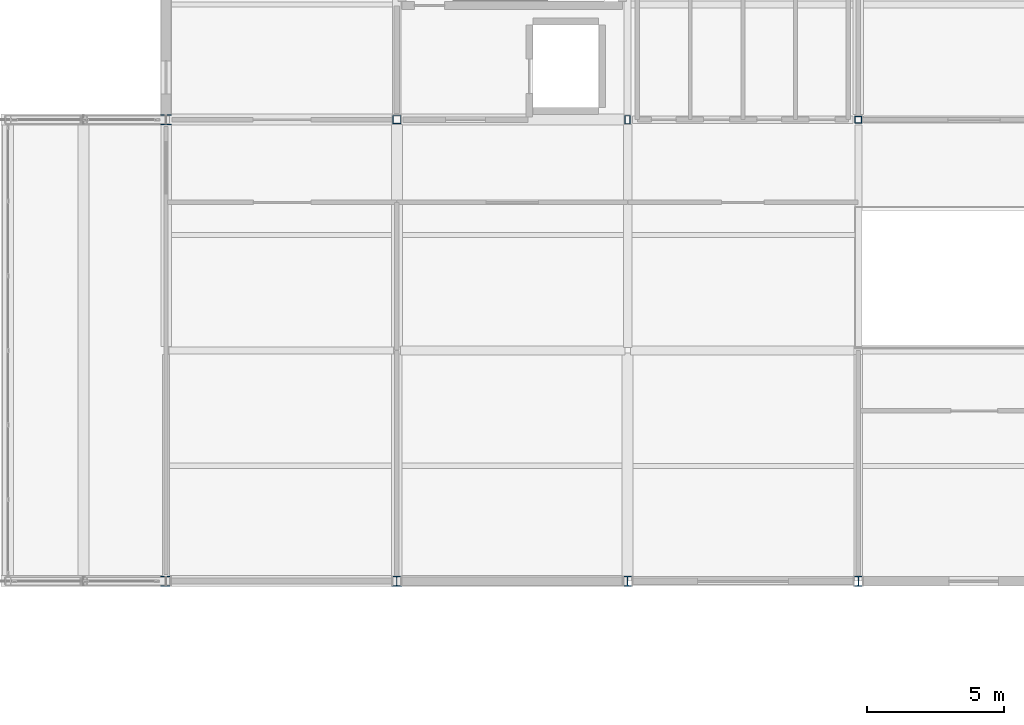
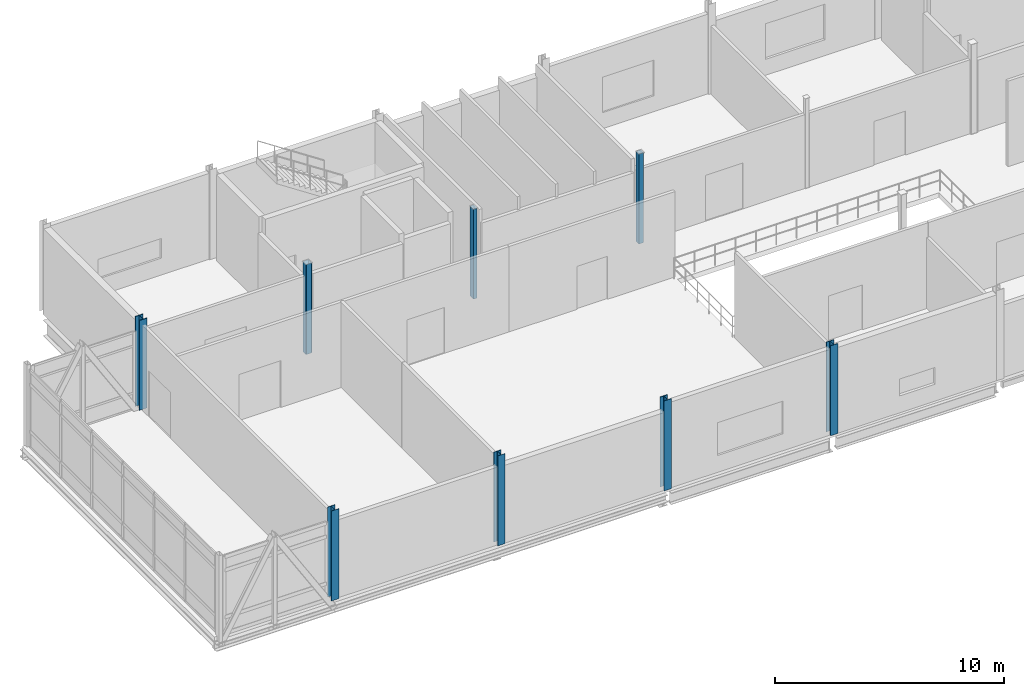
# One storey, part 1 of 45: 8 columns.
"""IFC4 building model written with IfcOpenShell, lengths in metres."""

from ifc_helpers import new_model, si_unit, direction, frame, origin, origin_2d, place, context, subcontext, project, spatial, hollow_rectangle, i_section, extrude, material, material_profile, profile_set, type_object, element, save


model = new_model("IFC4")

# Units and contexts
model_context = context("Model", 3, precision=1e-05, world=origin(), true_north=direction((0.0, 1.0)))
body_context = subcontext(model_context, "Body", "Model", "MODEL_VIEW")
ifc_project = project(units=[si_unit("LENGTHUNIT", "METRE"), si_unit("AREAUNIT", "SQUARE_METRE"), si_unit("VOLUMEUNIT", "CUBIC_METRE"), si_unit("PLANEANGLEUNIT", "RADIAN"), si_unit("MASSUNIT", "GRAM", prefix="KILO")], contexts=[model_context])

# Site, building, storey
site_placement = place(None, origin())
site = spatial("IfcSite", under=ifc_project, at=site_placement, CompositionType="ELEMENT")
building_placement = place(site_placement, origin())
building = spatial("IfcBuilding", under=site, at=building_placement, Name="Calvrana Isthmian Art Gallery", CompositionType="ELEMENT")
storey_placement = place(building_placement, frame((0.0, 0.0, 19.800048828125)))
storey = spatial("IfcBuildingStorey", under=building, at=storey_placement, Name="L04", CompositionType="ELEMENT", Elevation=19.800048828125)

# Columns
ifc_material_1 = material(Name="Steel ASTM A500 Gr C", Category="steel")
ifc_material_profile_1 = material_profile(ifc_material_1, hollow_rectangle(XDim=0.25390625, YDim=0.25390625, WallThickness=0.0126953125, OuterFilletRadius=0.02490234375, at=origin_2d()), Name="HSS254X254X12.7")
ifc_profile_set_1 = profile_set([ifc_material_profile_1], Name="Steel ASTM A500 Gr C")
column_type_1 = type_object("IfcColumnType", Name="COL-STL-HSS254X254X12.7", PredefinedType="COLUMN", material=ifc_profile_set_1)
column_1_placement = place(storey_placement, frame((46.800048828125, 38.39990234375, 0.0), z_axis=(0.0, 0.0, 1.0), x_axis=(1.0, 0.0, 0.0)))
element("IfcColumn", 1, at=column_1_placement, inside=storey, type_object=column_type_1, Name="Column 07/F L04", PredefinedType="COLUMN", context=body_context, shape_type="SweptSolid", body=[
    extrude(hollow_rectangle(XDim=0.25390625, YDim=0.25390625, WallThickness=0.0126953125, OuterFilletRadius=0.02490234375, at=origin_2d()), origin(), (0.0, 0.0, 1.0), 4.800048828125),
])
ifc_material_profile_2 = material_profile(ifc_material_1, hollow_rectangle(XDim=0.203125, YDim=0.3046875, WallThickness=0.0126953125, OuterFilletRadius=0.02490234375, at=origin_2d()), Name="HSS305X203X12.7")
ifc_profile_set_2 = profile_set([ifc_material_profile_2], Name="Steel ASTM A500 Gr C")
column_type_2 = type_object("IfcColumnType", Name="COL-STL-HSS305X203X12.7", PredefinedType="COLUMN", material=ifc_profile_set_2)
column_2_placement = place(storey_placement, frame((38.39990234375, 38.39990234375, 0.0), z_axis=(0.0, 0.0, 1.0), x_axis=(1.0, 0.0, 0.0)))
element("IfcColumn", 2, at=column_2_placement, inside=storey, type_object=column_type_2, Name="Column 06/F L04", PredefinedType="COLUMN", context=body_context, shape_type="SweptSolid", body=[
    extrude(hollow_rectangle(XDim=0.203125, YDim=0.3046875, WallThickness=0.0126953125, OuterFilletRadius=0.02490234375, at=origin_2d()), origin(), (0.0, 0.0, 1.0), 4.800048828125),
])
ifc_material_profile_3 = material_profile(ifc_material_1, hollow_rectangle(XDim=0.3046875, YDim=0.3046875, WallThickness=0.015869140625, OuterFilletRadius=0.031982421875, at=origin_2d()), Name="HSS305X305X15.9")
ifc_profile_set_3 = profile_set([ifc_material_profile_3], Name="Steel ASTM A500 Gr C")
column_type_3 = type_object("IfcColumnType", Name="COL-STL-HSS305X305X15.9", PredefinedType="COLUMN", material=ifc_profile_set_3)
column_3_placement = place(storey_placement, frame((30.0, 38.39990234375, 0.0), z_axis=(0.0, 0.0, 1.0), x_axis=(1.0, 0.0, 0.0)))
element("IfcColumn", 3, at=column_3_placement, inside=storey, type_object=column_type_3, Name="Column 05/F L04", PredefinedType="COLUMN", context=body_context, shape_type="SweptSolid", body=[
    extrude(hollow_rectangle(XDim=0.3046875, YDim=0.3046875, WallThickness=0.015869140625, OuterFilletRadius=0.031982421875, at=origin_2d()), origin(), (0.0, 0.0, 1.0), 4.800048828125),
])
ifc_material_2 = material(Name="Steel ASTM A992 Gr 50", Category="steel")
ifc_material_profile_4 = material_profile(ifc_material_2, i_section(OverallWidth=0.37109375, OverallDepth=0.363037109375, WebThickness=0.01318359375, FlangeThickness=0.021728515625, FilletRadius=0.02490234375, at=origin_2d()), Name="W14X109")
ifc_profile_set_4 = profile_set([ifc_material_profile_4], Name="Steel ASTM A992 Gr 50")
column_type_4 = type_object("IfcColumnType", Name="COL-STL-W14X109", PredefinedType="COLUMN", material=ifc_profile_set_4)
column_4_placement = place(storey_placement, frame((21.60009765625, 21.60009765625, 0.0), z_axis=(0.0, 0.0, 1.0), x_axis=(1.0, 0.0, 0.0)))
element("IfcColumn", 4, at=column_4_placement, inside=storey, type_object=column_type_4, Name="Column 04/D L04", PredefinedType="COLUMN", context=body_context, shape_type="SweptSolid", body=[
    extrude(i_section(OverallWidth=0.37109375, OverallDepth=0.363037109375, WebThickness=0.01318359375, FlangeThickness=0.021728515625, FilletRadius=0.02490234375, at=origin_2d()), origin(), (0.0, 0.0, 1.0), 4.800048828125),
])
ifc_material_profile_5 = material_profile(ifc_material_2, i_section(OverallWidth=0.373046875, OverallDepth=0.367919921875, WebThickness=0.014892578125, FlangeThickness=0.02392578125, FilletRadius=0.02490234375, at=origin_2d()), Name="W14X120")
ifc_profile_set_5 = profile_set([ifc_material_profile_5], Name="Steel ASTM A992 Gr 50")
column_type_5 = type_object("IfcColumnType", Name="COL-STL-W14X120", PredefinedType="COLUMN", material=ifc_profile_set_5)
column_5_placement = place(storey_placement, frame((46.800048828125, 21.60009765625, 0.0), z_axis=(0.0, 0.0, 1.0), x_axis=(1.0, 0.0, 0.0)))
element("IfcColumn", 5, at=column_5_placement, inside=storey, type_object=column_type_5, Name="Column 07/D L04", PredefinedType="COLUMN", context=body_context, shape_type="SweptSolid", body=[
    extrude(i_section(OverallWidth=0.373046875, OverallDepth=0.367919921875, WebThickness=0.014892578125, FlangeThickness=0.02392578125, FilletRadius=0.02490234375, at=origin_2d()), origin(), (0.0, 0.0, 1.0), 4.800048828125),
])
ifc_material_profile_6 = material_profile(ifc_material_2, i_section(OverallWidth=0.373046875, OverallDepth=0.373046875, WebThickness=0.016357421875, FlangeThickness=0.026123046875, FilletRadius=0.02490234375, at=origin_2d()), Name="W14X132")
ifc_profile_set_6 = profile_set([ifc_material_profile_6], Name="Steel ASTM A992 Gr 50")
column_type_6 = type_object("IfcColumnType", Name="COL-STL-W14X132", PredefinedType="COLUMN", material=ifc_profile_set_6)
column_6_placement = place(storey_placement, frame((38.39990234375, 21.60009765625, 0.0), z_axis=(0.0, 0.0, 1.0), x_axis=(1.0, 0.0, 0.0)))
element("IfcColumn", 6, at=column_6_placement, inside=storey, type_object=column_type_6, Name="Column 06/D L04", PredefinedType="COLUMN", context=body_context, shape_type="SweptSolid", body=[
    extrude(i_section(OverallWidth=0.373046875, OverallDepth=0.373046875, WebThickness=0.016357421875, FlangeThickness=0.026123046875, FilletRadius=0.02490234375, at=origin_2d()), origin(), (0.0, 0.0, 1.0), 4.800048828125),
])
ifc_material_profile_7 = material_profile(ifc_material_2, i_section(OverallWidth=0.39892578125, OverallDepth=0.385986328125, WebThickness=0.02099609375, FlangeThickness=0.033203125, FilletRadius=0.02490234375, at=origin_2d()), Name="W14X176")
ifc_profile_set_7 = profile_set([ifc_material_profile_7], Name="Steel ASTM A992 Gr 50")
column_type_7 = type_object("IfcColumnType", Name="COL-STL-W14X176", PredefinedType="COLUMN", material=ifc_profile_set_7)
column_7_placement = place(storey_placement, frame((21.60009765625, 38.39990234375, 0.0), z_axis=(0.0, 0.0, 1.0), x_axis=(1.0, 0.0, 0.0)))
element("IfcColumn", 7, at=column_7_placement, inside=storey, type_object=column_type_7, Name="Column 04/F L04 cantilever root", PredefinedType="COLUMN", context=body_context, shape_type="SweptSolid", body=[
    extrude(i_section(OverallWidth=0.39892578125, OverallDepth=0.385986328125, WebThickness=0.02099609375, FlangeThickness=0.033203125, FilletRadius=0.02490234375, at=origin_2d()), origin(), (0.0, 0.0, 1.0), 4.800048828125),
])
ifc_material_profile_8 = material_profile(ifc_material_2, i_section(OverallWidth=0.367919921875, OverallDepth=0.35595703125, WebThickness=0.01123046875, FlangeThickness=0.01806640625, FilletRadius=0.02490234375, at=origin_2d()), Name="W14X90")
ifc_profile_set_8 = profile_set([ifc_material_profile_8], Name="Steel ASTM A992 Gr 50")
column_type_8 = type_object("IfcColumnType", Name="COL-STL-W14X90", PredefinedType="COLUMN", material=ifc_profile_set_8)
column_8_placement = place(storey_placement, frame((30.0, 21.60009765625, 0.0), z_axis=(0.0, 0.0, 1.0), x_axis=(1.0, 0.0, 0.0)))
element("IfcColumn", 8, at=column_8_placement, inside=storey, type_object=column_type_8, Name="Column 05/D L04", PredefinedType="COLUMN", context=body_context, shape_type="SweptSolid", body=[
    extrude(i_section(OverallWidth=0.367919921875, OverallDepth=0.35595703125, WebThickness=0.01123046875, FlangeThickness=0.01806640625, FilletRadius=0.02490234375, at=origin_2d()), origin(), (0.0, 0.0, 1.0), 4.800048828125),
])

save(model, "model.ifc")
